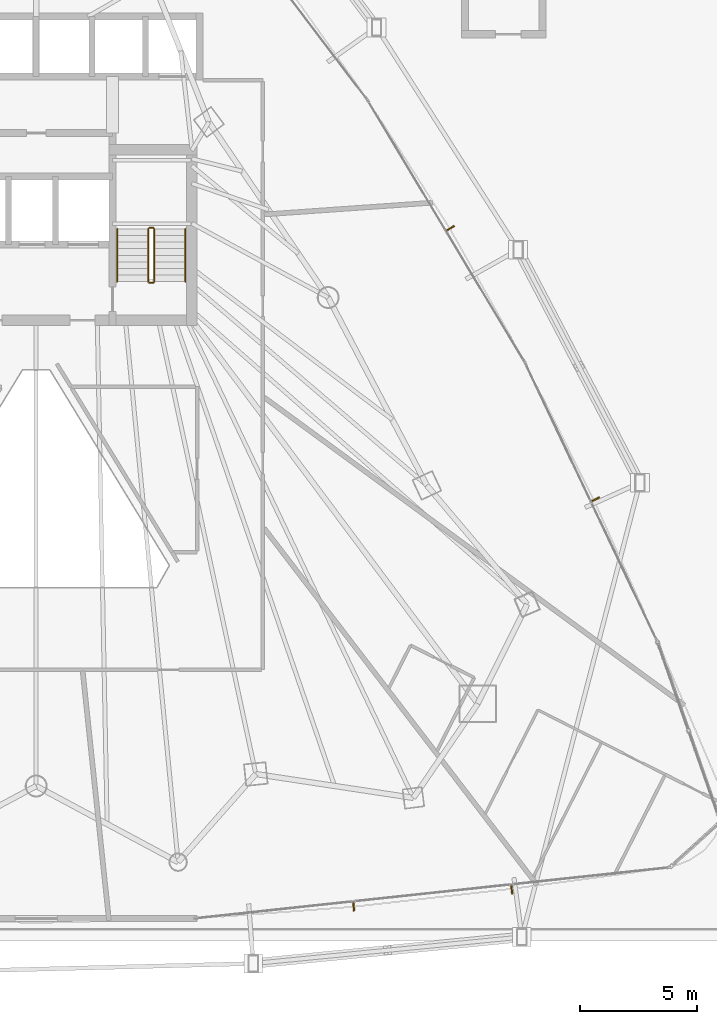
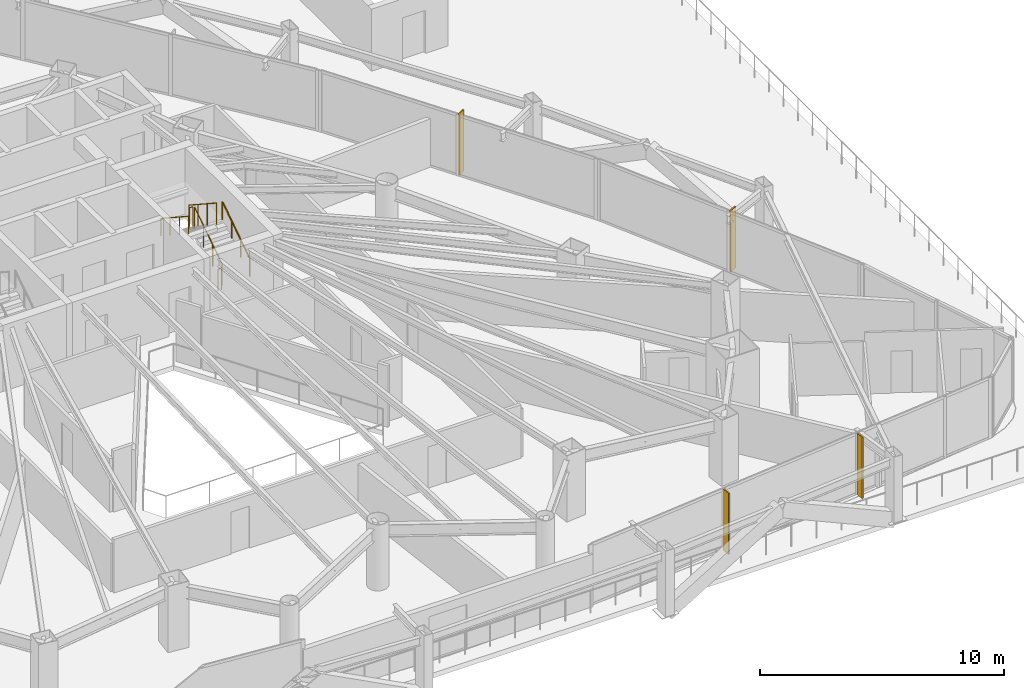
# One storey, part 35 of 36: 6 railings, 4 shading devices.
"""IFC4 building model written with IfcOpenShell, lengths in metres."""

from ifc_helpers import new_model, si_unit, direction, frame, origin, origin_2d, place, context, subcontext, project, spatial, rectangle, circle, extrude, material, layer, layer_set, type_object, element, save


model = new_model("IFC4")

# Units and contexts
model_context = context("Model", 3, precision=1e-05, world=origin(), true_north=direction((0.0, 1.0)))
body_context = subcontext(model_context, "Body", "Model", "MODEL_VIEW")
ifc_project = project(units=[si_unit("LENGTHUNIT", "METRE"), si_unit("AREAUNIT", "SQUARE_METRE"), si_unit("VOLUMEUNIT", "CUBIC_METRE"), si_unit("PLANEANGLEUNIT", "RADIAN"), si_unit("MASSUNIT", "GRAM", prefix="KILO")], contexts=[model_context])

# Site, building, storey
site_placement = place(None, origin())
site = spatial("IfcSite", under=ifc_project, at=site_placement, CompositionType="ELEMENT")
building_placement = place(site_placement, origin())
building = spatial("IfcBuilding", under=site, at=building_placement, Name="Orvanel Arch Residences", CompositionType="ELEMENT")
storey_placement = place(building_placement, frame((0.0, 0.0, 23.60009765625)))
storey = spatial("IfcBuildingStorey", under=building, at=storey_placement, Name="L05", CompositionType="ELEMENT", Elevation=23.60009765625)

# Shading devices
ifc_material_1 = material(Name="Bronze-anodised aluminium AA6063-T6", Category="aluminium")
ifc_layer = layer(ifc_material_1, 0.06005859375)
ifc_layer_set = layer_set([ifc_layer], Name="Bronze-anodised aluminium AA6063-T6")
shading_device_type = type_object("IfcShadingDeviceType", Name="FIN-BRZ-380", PredefinedType="USERDEFINED", material=ifc_layer_set)
for number, where, z_axis, x_axis, name in (
    (1, (46.51806640625, 1.712890625, -0.000244140625), (0.0, 0.0, 1.0), (0.106264071336, -0.994337944133, 0.0), "L05 Anodised Bronze Mullion FIN 01"),
    (2, (53.2490234375, 2.43505859375, -0.000244140625), (0.0, 0.0, 1.0), (0.106264071336, -0.994337944133, 0.0), "L05 Anodised Bronze Mullion FIN 02"),
    (3, (56.81494140625, 19.052978515625, -0.000244140625), (0.0, 0.0, 1.0), (0.903335292863, 0.428935133403, 0.0), "L05 Anodised Bronze Mullion FIN 01"),
    (4, (50.635986328125, 30.591064453125, -0.000244140625), (0.0, 0.0, 1.0), (0.857167300702, 0.51503807491, 0.0), "L05 Anodised Bronze Mullion FIN 01"),
):
    element("IfcShadingDevice", number, at=place(storey_placement, frame(where, z_axis=z_axis, x_axis=x_axis)), inside=storey, type_object=shading_device_type, Name=name, ObjectType="FIN", PredefinedType="USERDEFINED", context=body_context, shape_type="SweptSolid", body=[
        extrude(rectangle(XDim=0.3798828125, YDim=0.06005859375, at=origin_2d()), origin(), (0.0, 0.0, 1.0), 3.06005859375),
    ])

# Railings
ifc_material_2 = material(Name="Structural steel AS/NZS 1163 C350L0 (Grade 350)", Category="steel")
railing_type_1 = type_object("IfcRailingType", Name="RL-STAIR-GUARD", PredefinedType="GUARDRAIL", material=ifc_material_2)
railing_1_placement = place(storey_placement, frame((38.030029296875, 28.320068359375, 0.183349609375)))
element("IfcRailing", 5, at=railing_1_placement, inside=storey, type_object=railing_type_1, Name="L05 ST-2 stair guard 1", PredefinedType="GUARDRAIL", context=body_context, shape_type="SweptSolid", body=[
    extrude(circle(Radius=0.02392578125, at=origin_2d()), frame((0.0, 0.001220703125, 1.076904296875), z_axis=(0.0, 0.836636935527, 0.547757827979), x_axis=(-1.0, 0.0, 0.0)), (0.0, 0.0, 1.0), 2.67431640625),
    extrude(circle(Radius=0.02099609375, at=origin_2d()), origin(), (0.0, 0.0, 1.0), 1.050048828125),
    extrude(circle(Radius=0.02099609375, at=origin_2d()), frame((0.0, 0.74658203125, 0.48876953125)), (0.0, 0.0, 1.0), 1.050048828125),
    extrude(circle(Radius=0.02099609375, at=origin_2d()), frame((0.0, 1.493408203125, 0.977783203125)), (0.0, 0.0, 1.0), 1.050048828125),
    extrude(circle(Radius=0.02099609375, at=origin_2d()), frame((0.0, 2.239990234375, 1.466552734375)), (0.0, 0.0, 1.0), 1.050048828125),
])
railing_2_placement = place(storey_placement, frame((37.97998046875, 30.610107421875, 1.64990234375)))
element("IfcRailing", 6, at=railing_2_placement, inside=storey, type_object=railing_type_1, Name="L05 ST-2 stair guard 2", PredefinedType="GUARDRAIL", context=body_context, shape_type="SweptSolid", body=[
    extrude(circle(Radius=0.02392578125, at=origin_2d()), frame((-0.00146484375, 0.0, 1.076171875), z_axis=(-1.0, 0.0, 0.0), x_axis=(0.0, -1.0, 0.0)), (0.0, 0.0, 1.0), 0.156982421875),
    extrude(circle(Radius=0.02099609375, at=origin_2d()), origin(), (0.0, 0.0, 1.0), 1.050048828125),
    extrude(circle(Radius=0.02099609375, at=origin_2d()), frame((-0.159912109375, 0.0, 0.0)), (0.0, 0.0, 1.0), 1.050048828125),
])
railing_3_placement = place(storey_placement, frame((37.77001953125, 30.56005859375, 1.833251953125)))
element("IfcRailing", 7, at=railing_3_placement, inside=storey, type_object=railing_type_1, Name="L05 ST-2 stair guard 3", PredefinedType="GUARDRAIL", context=body_context, shape_type="SweptSolid", body=[
    extrude(circle(Radius=0.02392578125, at=origin_2d()), frame((0.0, -0.001220703125, 1.076904296875), z_axis=(0.0, -0.836636935527, 0.547757827979), x_axis=(1.0, 0.0, 0.0)), (0.0, 0.0, 1.0), 2.67431640625),
    extrude(circle(Radius=0.02099609375, at=origin_2d()), origin(), (0.0, 0.0, 1.0), 1.050048828125),
    extrude(circle(Radius=0.02099609375, at=origin_2d()), frame((0.0, -0.74658203125, 0.48876953125)), (0.0, 0.0, 1.0), 1.050048828125),
    extrude(circle(Radius=0.02099609375, at=origin_2d()), frame((0.0, -1.493408203125, 0.977783203125)), (0.0, 0.0, 1.0), 1.050048828125),
    extrude(circle(Radius=0.02099609375, at=origin_2d()), frame((0.0, -2.239990234375, 1.466552734375)), (0.0, 0.0, 1.0), 1.050048828125),
])
railing_4_placement = place(storey_placement, frame((37.97998046875, 28.27001953125, 0.0)))
element("IfcRailing", 8, at=railing_4_placement, inside=storey, type_object=railing_type_1, Name="L05 ST-2 stair guard 4", PredefinedType="GUARDRAIL", context=body_context, shape_type="SweptSolid", body=[
    extrude(circle(Radius=0.02392578125, at=origin_2d()), frame((-0.00146484375, 0.0, 1.076171875), z_axis=(-1.0, 0.0, 0.0), x_axis=(0.0, -1.0, 0.0)), (0.0, 0.0, 1.0), 0.156982421875),
    extrude(circle(Radius=0.02099609375, at=origin_2d()), origin(), (0.0, 0.0, 1.0), 1.050048828125),
    extrude(circle(Radius=0.02099609375, at=origin_2d()), frame((-0.159912109375, 0.0, 0.0)), (0.0, 0.0, 1.0), 1.050048828125),
])
railing_type_2 = type_object("IfcRailingType", Name="RL-STAIR-HAND", PredefinedType="HANDRAIL", material=ifc_material_2)
railing_5_placement = place(storey_placement, frame((39.35009765625, 28.320068359375, 0.183349609375)))
element("IfcRailing", 9, at=railing_5_placement, inside=storey, type_object=railing_type_2, Name="L05 ST-2 stair handrail 1", PredefinedType="HANDRAIL", context=body_context, shape_type="SweptSolid", body=[
    extrude(circle(Radius=0.02392578125, at=origin_2d()), frame((0.0, 0.001220703125, 0.876708984375), z_axis=(0.0, 0.836636935527, 0.547757827979), x_axis=(-1.0, 0.0, 0.0)), (0.0, 0.0, 1.0), 2.67431640625),
    extrude(circle(Radius=0.02099609375, at=origin_2d()), origin(), (0.0, 0.0, 1.0), 0.849853515625),
    extrude(circle(Radius=0.02099609375, at=origin_2d()), frame((0.0, 0.74658203125, 0.48876953125)), (0.0, 0.0, 1.0), 0.849853515625),
    extrude(circle(Radius=0.02099609375, at=origin_2d()), frame((0.0, 1.493408203125, 0.977783203125)), (0.0, 0.0, 1.0), 0.849853515625),
    extrude(circle(Radius=0.02099609375, at=origin_2d()), frame((0.0, 2.239990234375, 1.466552734375)), (0.0, 0.0, 1.0), 0.849853515625),
])
railing_6_placement = place(storey_placement, frame((36.449951171875, 30.56005859375, 1.833251953125)))
element("IfcRailing", 10, at=railing_6_placement, inside=storey, type_object=railing_type_2, Name="L05 ST-2 stair handrail 2", PredefinedType="HANDRAIL", context=body_context, shape_type="SweptSolid", body=[
    extrude(circle(Radius=0.02392578125, at=origin_2d()), frame((0.0, -0.001220703125, 0.876708984375), z_axis=(0.0, -0.836636935527, 0.547757827979), x_axis=(1.0, 0.0, 0.0)), (0.0, 0.0, 1.0), 2.67431640625),
    extrude(circle(Radius=0.02099609375, at=origin_2d()), origin(), (0.0, 0.0, 1.0), 0.849853515625),
    extrude(circle(Radius=0.02099609375, at=origin_2d()), frame((0.0, -0.74658203125, 0.48876953125)), (0.0, 0.0, 1.0), 0.849853515625),
    extrude(circle(Radius=0.02099609375, at=origin_2d()), frame((0.0, -1.493408203125, 0.977783203125)), (0.0, 0.0, 1.0), 0.849853515625),
    extrude(circle(Radius=0.02099609375, at=origin_2d()), frame((0.0, -2.239990234375, 1.466552734375)), (0.0, 0.0, 1.0), 0.849853515625),
])

save(model, "model.ifc")
